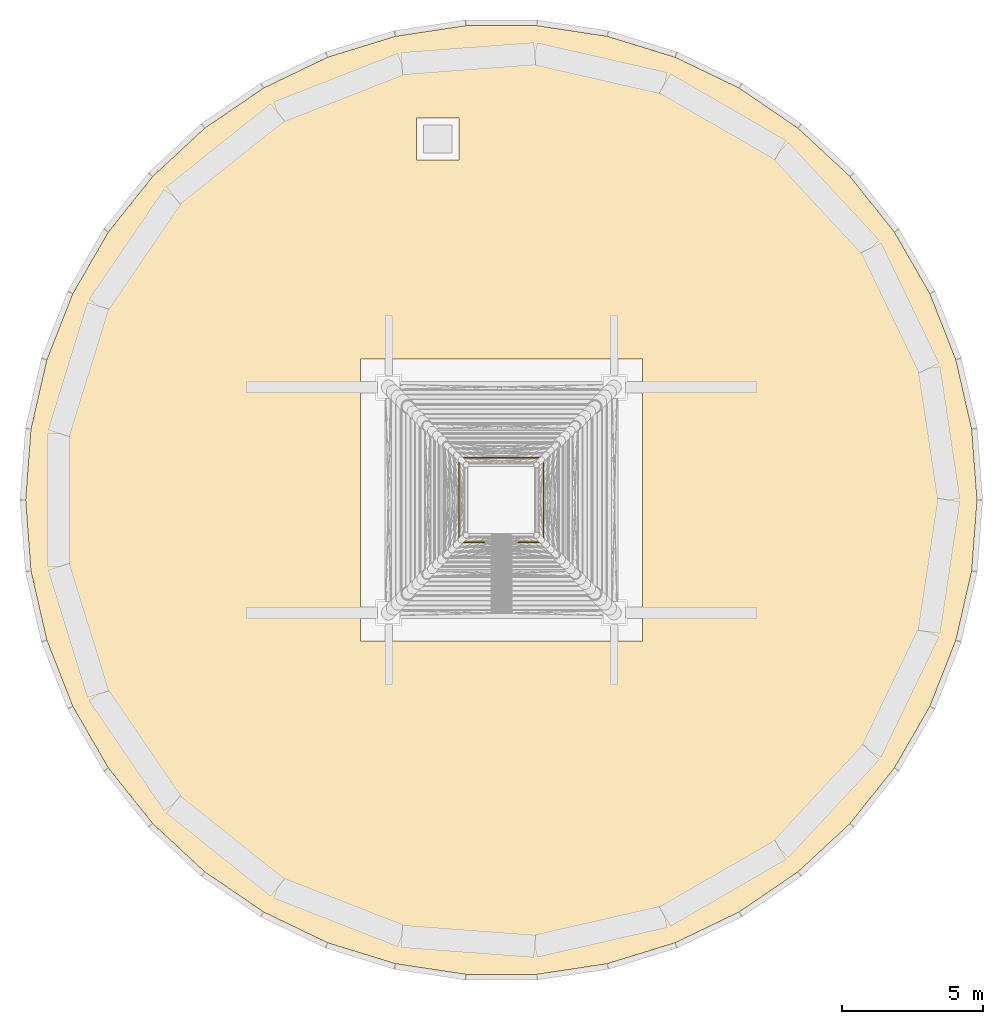
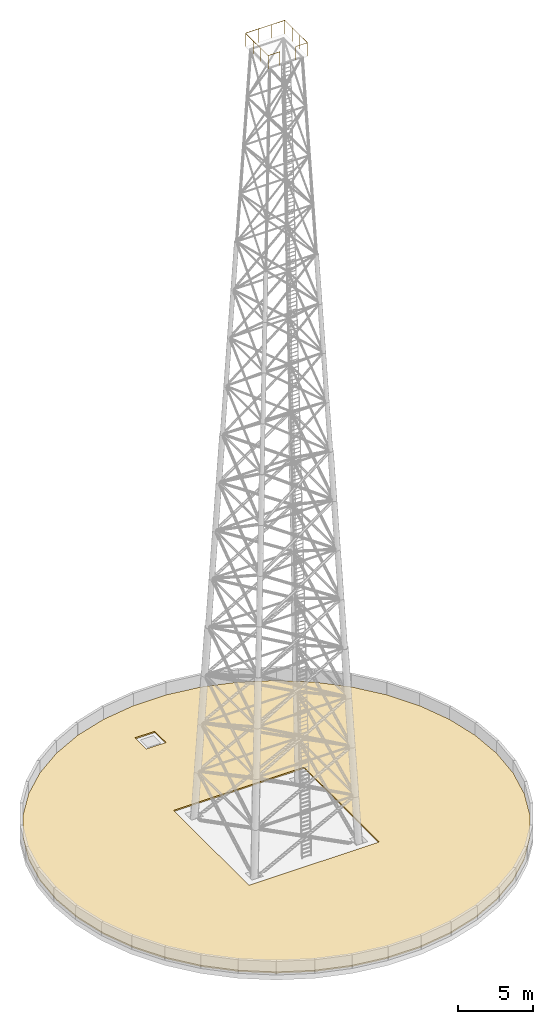
# One storey, part 9 of 9: 1 covering, 1 railing.
"""IFC4 building model written with IfcOpenShell, lengths in metres."""

from ifc_helpers import new_model, si_unit, direction, frame, origin, origin_2d, place, context, subcontext, project, spatial, polyline, circle, outline, extrude, material, layer, layer_set, type_object, element, save


model = new_model("IFC4")

# Units and contexts
model_context = context("Model", 3, precision=1e-05, world=origin(), true_north=direction((0.0, 1.0)))
body_context = subcontext(model_context, "Body", "Model", "MODEL_VIEW")
ifc_project = project(units=[si_unit("LENGTHUNIT", "METRE"), si_unit("AREAUNIT", "SQUARE_METRE"), si_unit("VOLUMEUNIT", "CUBIC_METRE"), si_unit("PLANEANGLEUNIT", "RADIAN"), si_unit("MASSUNIT", "GRAM", prefix="KILO")], contexts=[model_context])

# Site, building, storey
site_placement = place(None, origin())
site = spatial("IfcSite", under=ifc_project, at=site_placement, CompositionType="ELEMENT")
building_placement = place(site_placement, origin())
building = spatial("IfcBuilding", under=site, at=building_placement, Name="Tracery Tower", CompositionType="ELEMENT")
storey_placement = place(building_placement, frame((0.0, 0.0, 364.199951171875)))
storey = spatial("IfcBuildingStorey", under=building, at=storey_placement, Name="Roof", CompositionType="ELEMENT", Elevation=364.199951171875)

# Covering
ifc_material_1 = material(Name="Roof membrane on insulation")
ifc_layer = layer(ifc_material_1, 0.110107421875)
ifc_layer_set = layer_set([ifc_layer], Name="Main roof membrane 110")
covering_type = type_object("IfcCoveringType", Name="Main roof membrane 110", PredefinedType="ROOFING", material=ifc_layer_set)
covering_placement = place(storey_placement, origin())
element("IfcCovering", 1, at=covering_placement, inside=storey, type_object=covering_type, Name="Main roof membrane", PredefinedType="ROOFING", context=body_context, shape_type="SweptSolid", body=[
    extrude(outline(polyline([(16.87158203125, 0.0), (16.68310546875, 2.5146484375), (16.1220703125, 4.972900390625), (15.20068359375, 7.3203125), (13.93994140625, 9.504150390625), (12.367919921875, 11.4755859375), (10.519287109375, 13.19091796875), (8.435791015625, 14.611328125), (6.163818359375, 15.705322265625), (3.75439453125, 16.448486328125), (1.2607421875, 16.824462890625), (-1.2607421875, 16.824462890625), (-3.75439453125, 16.448486328125), (-6.163818359375, 15.705322265625), (-8.435791015625, 14.611328125), (-10.519287109375, 13.19091796875), (-12.367919921875, 11.4755859375), (-13.93994140625, 9.504150390625), (-15.20068359375, 7.3203125), (-16.1220703125, 4.972900390625), (-16.68310546875, 2.5146484375), (-16.87158203125, 0.0), (-16.68310546875, -2.5146484375), (-16.1220703125, -4.972900390625), (-15.20068359375, -7.3203125), (-13.93994140625, -9.504150390625), (-12.367919921875, -11.4755859375), (-10.519287109375, -13.19091796875), (-8.435791015625, -14.611328125), (-6.163818359375, -15.705322265625), (-3.75439453125, -16.448486328125), (-1.2607421875, -16.824462890625), (1.2607421875, -16.824462890625), (3.75439453125, -16.448486328125), (6.163818359375, -15.705322265625), (8.435791015625, -14.611328125), (10.519287109375, -13.19091796875), (12.367919921875, -11.4755859375), (13.93994140625, -9.504150390625), (15.20068359375, -7.3203125), (16.1220703125, -4.972900390625), (16.68310546875, -2.5146484375), (16.87158203125, 0.0)]), holes=[polyline([(-5.0, 5.0), (5.0, 5.0), (5.0, -5.0), (-5.0, -5.0), (-5.0, 5.0)]), polyline([(-3.00732421875, 13.552490234375), (-1.50732421875, 13.552490234375), (-1.50732421875, 12.052490234375), (-3.00732421875, 12.052490234375), (-3.00732421875, 13.552490234375)])]), origin(), (0.0, 0.0, 1.0), 0.110107421875),
])

# Railing
ifc_material_2 = material(Name="Steel S355", Category="steel")
railing_type = type_object("IfcRailingType", Name="Mast platform guardrail MAST", PredefinedType="GUARDRAIL", material=ifc_material_2)
railing_placement = place(storey_placement, frame((-0.60009765625, -1.5, 62.900146484375)))
element("IfcRailing", 2, at=railing_placement, inside=storey, type_object=railing_type, Name="Mast lamp platform guardrail", PredefinedType="GUARDRAIL", context=body_context, shape_type="SweptSolid", body=[
    extrude(circle(Radius=0.02001953125, at=origin_2d()), frame((0.0, 0.0, 1.080078125), z_axis=(-1.0, 0.0, 0.0), x_axis=(0.0, -1.0, 0.0)), (0.0, 0.0, 1.0), 0.89990234375),
    extrude(circle(Radius=0.02001953125, at=origin_2d()), frame((-0.89990234375, 0.0, 1.080078125), z_axis=(0.0, 1.0, 0.0), x_axis=(-1.0, 0.0, 0.0)), (0.0, 0.0, 1.0), 3.0),
    extrude(circle(Radius=0.02001953125, at=origin_2d()), frame((-0.89990234375, 3.0, 1.080078125), z_axis=(1.0, 0.0, 0.0), x_axis=(0.0, 1.0, 0.0)), (0.0, 0.0, 1.0), 3.0),
    extrude(circle(Radius=0.02001953125, at=origin_2d()), frame((2.10009765625, 3.0, 1.080078125), z_axis=(0.0, -1.0, 0.0), x_axis=(1.0, 0.0, 0.0)), (0.0, 0.0, 1.0), 3.0),
    extrude(circle(Radius=0.02001953125, at=origin_2d()), frame((2.10009765625, 0.0, 1.080078125), z_axis=(-1.0, 0.0, 0.0), x_axis=(0.0, -1.0, 0.0)), (0.0, 0.0, 1.0), 0.89990234375),
    extrude(circle(Radius=0.02001953125, at=origin_2d()), origin(), (0.0, 0.0, 1.0), 1.06005859375),
    extrude(circle(Radius=0.02001953125, at=origin_2d()), frame((-0.89990234375, 0.0, 0.0)), (0.0, 0.0, 1.0), 1.06005859375),
    extrude(circle(Radius=0.02001953125, at=origin_2d()), frame((-0.89990234375, 1.0, 0.0)), (0.0, 0.0, 1.0), 1.06005859375),
    extrude(circle(Radius=0.02001953125, at=origin_2d()), frame((-0.89990234375, 2.0, 0.0)), (0.0, 0.0, 1.0), 1.06005859375),
    extrude(circle(Radius=0.02001953125, at=origin_2d()), frame((-0.89990234375, 3.0, 0.0)), (0.0, 0.0, 1.0), 1.06005859375),
    extrude(circle(Radius=0.02001953125, at=origin_2d()), frame((0.10009765625, 3.0, 0.0)), (0.0, 0.0, 1.0), 1.06005859375),
    extrude(circle(Radius=0.02001953125, at=origin_2d()), frame((1.10009765625, 3.0, 0.0)), (0.0, 0.0, 1.0), 1.06005859375),
    extrude(circle(Radius=0.02001953125, at=origin_2d()), frame((2.10009765625, 3.0, 0.0)), (0.0, 0.0, 1.0), 1.06005859375),
    extrude(circle(Radius=0.02001953125, at=origin_2d()), frame((2.10009765625, 2.0, 0.0)), (0.0, 0.0, 1.0), 1.06005859375),
    extrude(circle(Radius=0.02001953125, at=origin_2d()), frame((2.10009765625, 1.0, 0.0)), (0.0, 0.0, 1.0), 1.06005859375),
    extrude(circle(Radius=0.02001953125, at=origin_2d()), frame((2.10009765625, 0.0, 0.0)), (0.0, 0.0, 1.0), 1.06005859375),
    extrude(circle(Radius=0.02001953125, at=origin_2d()), frame((1.2001953125, 0.0, 0.0)), (0.0, 0.0, 1.0), 1.06005859375),
])

save(model, "model.ifc")
